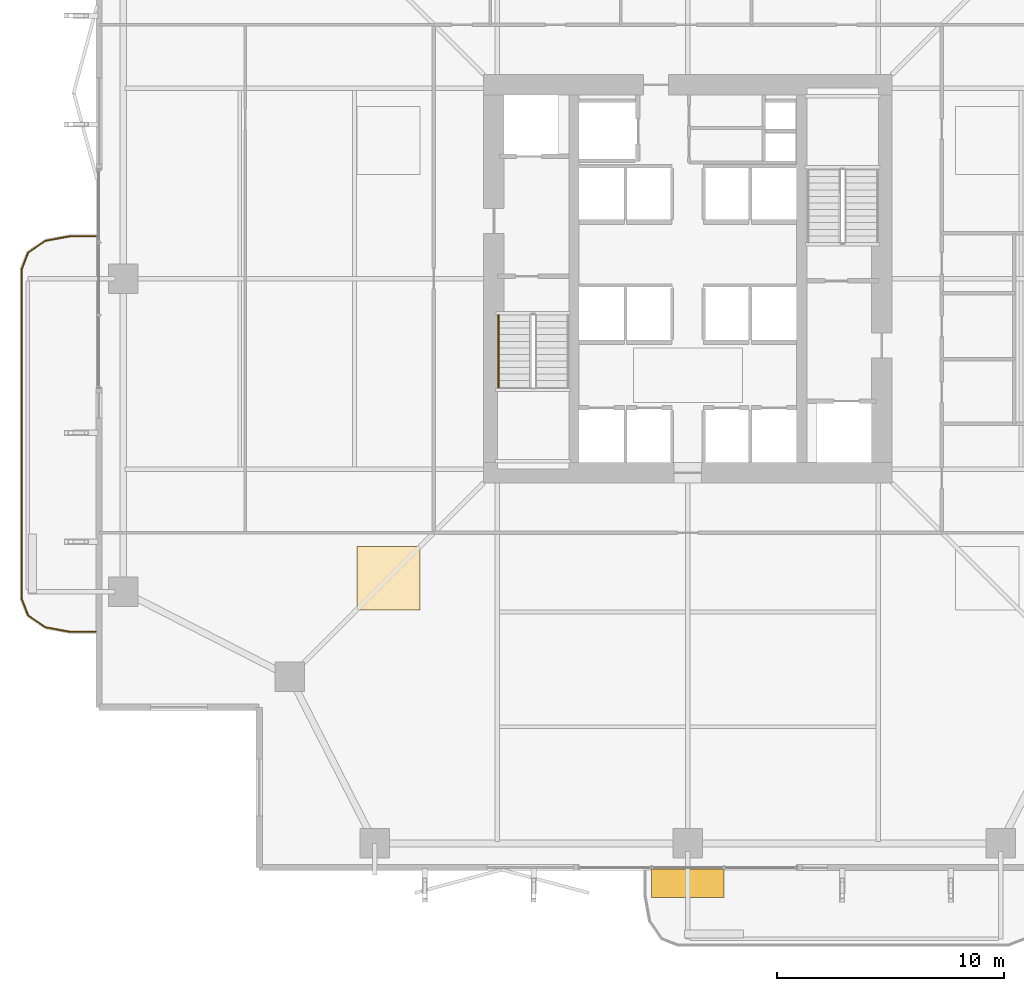
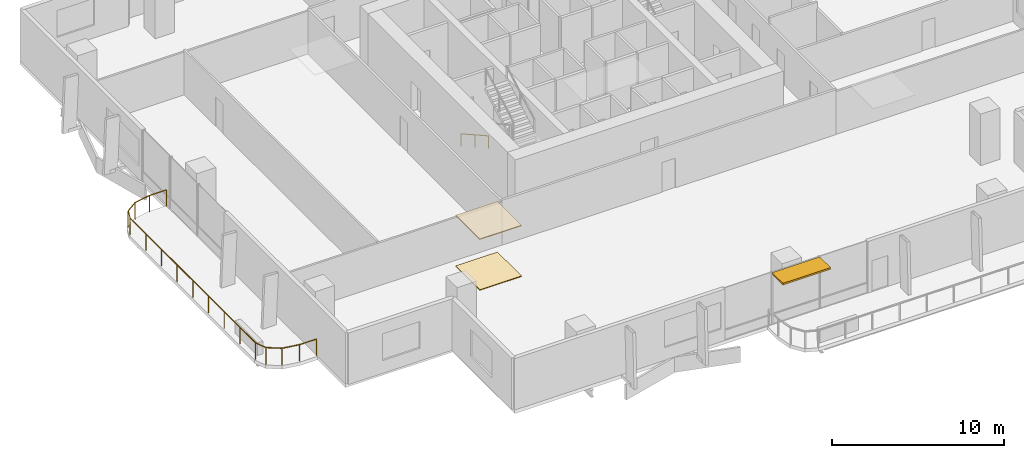
# One storey, part 21 of 24: 2 coverings, 2 railings, 1 shading device.
"""IFC4 building model written with IfcOpenShell, lengths in metres."""

from ifc_helpers import new_model, si_unit, direction, frame, origin, origin_2d, place, context, subcontext, project, spatial, polyline, rectangle, outline, extrude, material, layer, layer_set, type_object, element, save


model = new_model("IFC4")

# Units and contexts
model_context = context("Model", 3, precision=1e-05, world=origin(), true_north=direction((0.0, 1.0)))
body_context = subcontext(model_context, "Body", "Model", "MODEL_VIEW")
ifc_project = project(units=[si_unit("LENGTHUNIT", "METRE"), si_unit("AREAUNIT", "SQUARE_METRE"), si_unit("VOLUMEUNIT", "CUBIC_METRE"), si_unit("PLANEANGLEUNIT", "RADIAN"), si_unit("MASSUNIT", "GRAM", prefix="KILO")], contexts=[model_context])

# Site, building, storey
site_placement = place(None, origin())
site = spatial("IfcSite", under=ifc_project, at=site_placement, CompositionType="ELEMENT")
building_placement = place(site_placement, origin())
building = spatial("IfcBuilding", under=site, at=building_placement, Name="Belovzor Exchange Tower", CompositionType="ELEMENT")
storey_placement = place(building_placement, frame((0.0, 0.0, 117.300048828125)))
storey = spatial("IfcBuildingStorey", under=building, at=storey_placement, Name="L28", CompositionType="ELEMENT", Elevation=117.300048828125)

# Railings
ifc_material_1 = material(Name="Stainless Steel Grade 304", Category="steel")
railing_type_1 = type_object("IfcRailingType", Name="Brushed Stainless Steel Stair Handrail 900", PredefinedType="HANDRAIL", material=ifc_material_1)
railing_1_placement = place(storey_placement, frame((20.449951171875, 27.199951171875, 0.162353515625)))
element("IfcRailing", 1, at=railing_1_placement, inside=storey, type_object=railing_type_1, Name="L28 ST-1 stair handrail 1", PredefinedType="HANDRAIL", context=body_context, shape_type="SweptSolid", body=[
    extrude(rectangle(XDim=0.048095703125, YDim=0.048095703125, at=origin_2d()), frame((0.0, 0.0, 0.8759765625), z_axis=(0.0, -0.8723625253, 0.488859514025), x_axis=(1.0, 0.0, 0.0)), (0.0, 0.0, 1.0), 3.65673828125),
    extrude(rectangle(XDim=0.0419921875, YDim=0.0419921875, at=origin_2d()), origin(), (0.0, 0.0, 1.0), 0.851806640625),
    extrude(rectangle(XDim=0.0419921875, YDim=0.0419921875, at=origin_2d()), frame((0.0, -1.594970703125, 0.893798828125)), (0.0, 0.0, 1.0), 0.851806640625),
    extrude(rectangle(XDim=0.0419921875, YDim=0.0419921875, at=origin_2d()), frame((0.0, -3.18994140625, 1.78759765625)), (0.0, 0.0, 1.0), 0.851806640625),
])
ifc_material_2 = material(Name="Stainless Steel and Laminated Safety Glass", Category="steel")
railing_type_2 = type_object("IfcRailingType", Name="Laminated Glass & Stainless Steel Balcony Balustrade 1200", PredefinedType="BALUSTRADE", material=ifc_material_2)
railing_2_placement = place(storey_placement, frame((2.68994140625, 30.669921875, 0.0)))
element("IfcRailing", 2, at=railing_2_placement, inside=storey, type_object=railing_type_2, Name="GR-1 Balcony Balustrade L28 West", PredefinedType="BALUSTRADE", context=body_context, shape_type="SweptSolid", body=[
    extrude(rectangle(XDim=0.048095703125, YDim=0.048095703125, at=origin_2d()), frame((0.0, 0.0, 1.17578125), z_axis=(-1.0, 0.0, 0.0), x_axis=(0.0, -1.0, 0.0)), (0.0, 0.0, 1.0), 1.133056640625),
    extrude(rectangle(XDim=0.048095703125, YDim=0.048095703125, at=origin_2d()), frame((-1.133056640625, 0.0, 1.17578125), z_axis=(-0.983644145941, -0.180122719713, 0.0), x_axis=(0.180122719713, -0.983644145941, 0.0)), (0.0, 0.0, 1.0), 1.09375),
    extrude(rectangle(XDim=0.048095703125, YDim=0.048095703125, at=origin_2d()), frame((-2.208984375, -0.197021484375, 1.17578125), z_axis=(-0.826614792125, -0.562768145367, 0.0), x_axis=(0.562768145367, -0.826614792125, 0.0)), (0.0, 0.0, 1.0), 0.9326171875),
    extrude(rectangle(XDim=0.048095703125, YDim=0.048095703125, at=origin_2d()), frame((-2.97998046875, -0.721923828125, 1.17578125), z_axis=(-0.365612923861, -0.930766990125, 0.0), x_axis=(0.930766990125, -0.365612923861, 0.0)), (0.0, 0.0, 1.0), 0.765869140625),
    extrude(rectangle(XDim=0.048095703125, YDim=0.048095703125, at=origin_2d()), frame((-3.260009765625, -1.434814453125, 1.17578125), z_axis=(0.0, -1.0, 0.0), x_axis=(1.0, 0.0, 0.0)), (0.0, 0.0, 1.0), 14.570068359375),
    extrude(rectangle(XDim=0.048095703125, YDim=0.048095703125, at=origin_2d()), frame((-3.260009765625, -16.0048828125, 1.17578125), z_axis=(0.365504480807, -0.930809580156, 0.0), x_axis=(0.930809580156, 0.365504480807, 0.0)), (0.0, 0.0, 1.0), 0.76611328125),
    extrude(rectangle(XDim=0.048095703125, YDim=0.048095703125, at=origin_2d()), frame((-2.97998046875, -16.718017578125, 1.17578125), z_axis=(0.826614792125, -0.562768145367, 0.0), x_axis=(0.562768145367, 0.826614792125, 0.0)), (0.0, 0.0, 1.0), 0.9326171875),
    extrude(rectangle(XDim=0.048095703125, YDim=0.048095703125, at=origin_2d()), frame((-2.208984375, -17.242919921875, 1.17578125), z_axis=(0.983644145941, -0.180122719713, 0.0), x_axis=(0.180122719713, 0.983644145941, 0.0)), (0.0, 0.0, 1.0), 1.09375),
    extrude(rectangle(XDim=0.048095703125, YDim=0.048095703125, at=origin_2d()), frame((-1.133056640625, -17.43994140625, 1.17578125), z_axis=(1.0, 0.0, 0.0), x_axis=(0.0, 1.0, 0.0)), (0.0, 0.0, 1.0), 1.133056640625),
    extrude(rectangle(XDim=0.0419921875, YDim=0.0419921875, at=origin_2d()), origin(), (0.0, 0.0, 1.0), 1.15185546875),
    extrude(rectangle(XDim=0.0419921875, YDim=0.0419921875, at=origin_2d()), frame((-1.133056640625, 0.0, 0.0)), (0.0, 0.0, 1.0), 1.15185546875),
    extrude(rectangle(XDim=0.0419921875, YDim=0.0419921875, at=origin_2d()), frame((-2.208984375, -0.197021484375, 0.0)), (0.0, 0.0, 1.0), 1.15185546875),
    extrude(rectangle(XDim=0.0419921875, YDim=0.0419921875, at=origin_2d()), frame((-2.97998046875, -0.721923828125, 0.0)), (0.0, 0.0, 1.0), 1.15185546875),
    extrude(rectangle(XDim=0.0419921875, YDim=0.0419921875, at=origin_2d()), frame((-3.260009765625, -1.434814453125, 0.0)), (0.0, 0.0, 1.0), 1.15185546875),
    extrude(rectangle(XDim=0.0419921875, YDim=0.0419921875, at=origin_2d()), frame((-3.260009765625, -3.256103515625, 0.0)), (0.0, 0.0, 1.0), 1.15185546875),
    extrude(rectangle(XDim=0.0419921875, YDim=0.0419921875, at=origin_2d()), frame((-3.260009765625, -5.077392578125, 0.0)), (0.0, 0.0, 1.0), 1.15185546875),
    extrude(rectangle(XDim=0.0419921875, YDim=0.0419921875, at=origin_2d()), frame((-3.260009765625, -6.898681640625, 0.0)), (0.0, 0.0, 1.0), 1.15185546875),
    extrude(rectangle(XDim=0.0419921875, YDim=0.0419921875, at=origin_2d()), frame((-3.260009765625, -8.7197265625, 0.0)), (0.0, 0.0, 1.0), 1.15185546875),
    extrude(rectangle(XDim=0.0419921875, YDim=0.0419921875, at=origin_2d()), frame((-3.260009765625, -10.541015625, 0.0)), (0.0, 0.0, 1.0), 1.15185546875),
    extrude(rectangle(XDim=0.0419921875, YDim=0.0419921875, at=origin_2d()), frame((-3.260009765625, -12.3623046875, 0.0)), (0.0, 0.0, 1.0), 1.15185546875),
    extrude(rectangle(XDim=0.0419921875, YDim=0.0419921875, at=origin_2d()), frame((-3.260009765625, -14.18359375, 0.0)), (0.0, 0.0, 1.0), 1.15185546875),
    extrude(rectangle(XDim=0.0419921875, YDim=0.0419921875, at=origin_2d()), frame((-3.260009765625, -16.0048828125, 0.0)), (0.0, 0.0, 1.0), 1.15185546875),
    extrude(rectangle(XDim=0.0419921875, YDim=0.0419921875, at=origin_2d()), frame((-2.97998046875, -16.718017578125, 0.0)), (0.0, 0.0, 1.0), 1.15185546875),
    extrude(rectangle(XDim=0.0419921875, YDim=0.0419921875, at=origin_2d()), frame((-2.208984375, -17.242919921875, 0.0)), (0.0, 0.0, 1.0), 1.15185546875),
    extrude(rectangle(XDim=0.0419921875, YDim=0.0419921875, at=origin_2d()), frame((-1.133056640625, -17.43994140625, 0.0)), (0.0, 0.0, 1.0), 1.15185546875),
    extrude(rectangle(XDim=0.0419921875, YDim=0.0419921875, at=origin_2d()), frame((0.0, -17.43994140625, 0.0)), (0.0, 0.0, 1.0), 1.15185546875),
])

# Coverings
ifc_material_3 = material(Name="Perforated Powder-Coated Aluminium", Category="aluminium")
ifc_layer_1 = layer(ifc_material_3, 0.06005859375)
ifc_layer_set_1 = layer_set([ifc_layer_1], Name="Perforated Powder-Coated Aluminium")
covering_type_1 = type_object("IfcCoveringType", Name="Perforated Acoustic Metal Tile Suspended Ceiling 60", PredefinedType="CEILING", material=ifc_layer_set_1)
covering_1_placement = place(storey_placement, frame((0.0, 0.0, 3.58984375)))
element("IfcCovering", 3, at=covering_1_placement, inside=storey, type_object=covering_type_1, Name="CLG-AC60 Suspended Ceiling CLG-L28-Z0", PredefinedType="CEILING", context=body_context, shape_type="SweptSolid", body=[
    extrude(outline(polyline([(14.199951171875, 14.199951171875), (17.0, 14.199951171875), (17.0, 17.0), (14.199951171875, 17.0), (14.199951171875, 14.199951171875)])), origin(), (0.0, 0.0, 1.0), 0.06005859375),
])
ifc_material_4 = material(Name="Polished Natural Granite Tile", Category="masonry")
ifc_layer_2 = layer(ifc_material_4, 0.050048828125)
ifc_layer_set_2 = layer_set([ifc_layer_2], Name="Polished Natural Granite Tile")
covering_type_2 = type_object("IfcCoveringType", Name="Polished Karelian Granite & Raised Access Floor Finish 50", PredefinedType="FLOORING", material=ifc_layer_set_2)
covering_2_placement = place(storey_placement, origin())
element("IfcCovering", 4, at=covering_2_placement, inside=storey, type_object=covering_type_2, Name="FLR-GR50 Floor Finish FLR-L28-Z0", PredefinedType="FLOORING", context=body_context, shape_type="SweptSolid", body=[
    extrude(outline(polyline([(14.199951171875, 14.199951171875), (17.0, 14.199951171875), (17.0, 17.0), (14.199951171875, 17.0), (14.199951171875, 14.199951171875)])), origin(), (0.0, 0.0, 1.0), 0.050048828125),
])

# Shading device
ifc_material_5 = material(Name="Extruded Architectural Terracotta", Category="masonry")
ifc_layer_3 = layer(ifc_material_5, 0.1201171875)
ifc_layer_set_3 = layer_set([ifc_layer_3], Name="Extruded Architectural Terracotta")
shading_device_type = type_object("IfcShadingDeviceType", Name="Streamline Terracotta Horizontal Sunshade Hood 1250", PredefinedType="AWNING", material=ifc_layer_set_3)
shading_device_placement = place(storey_placement, frame((28.800048828125, 2.135009765625, 3.52978515625), z_axis=(0.0, 0.0, 1.0), x_axis=(1.0, 0.0, 0.0)))
element("IfcShadingDevice", 5, at=shading_device_placement, inside=storey, type_object=shading_device_type, Name="SHD-TC125 Terracotta Sunshade L28 S", PredefinedType="AWNING", context=body_context, shape_type="SweptSolid", body=[
    extrude(rectangle(XDim=3.199951171875, YDim=1.25, at=origin_2d()), origin(), (0.0, 0.0, 1.0), 0.1201171875),
])

save(model, "model.ifc")
